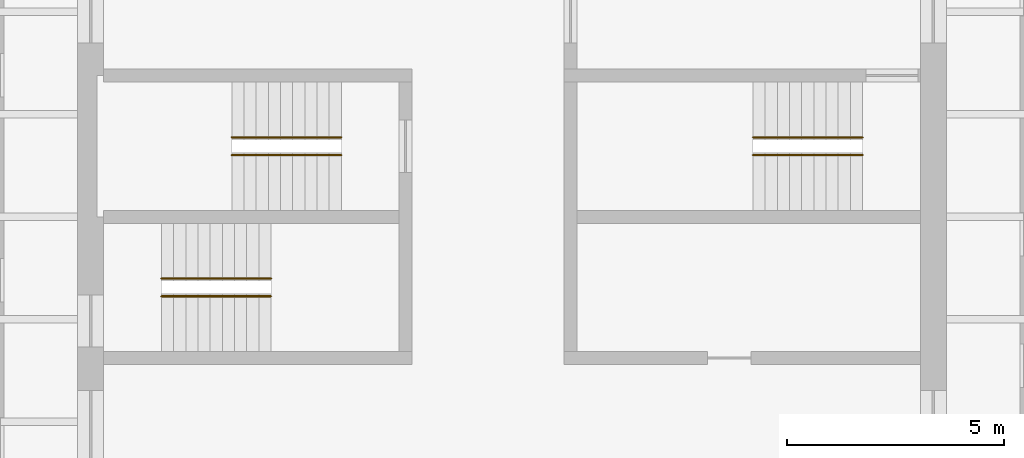
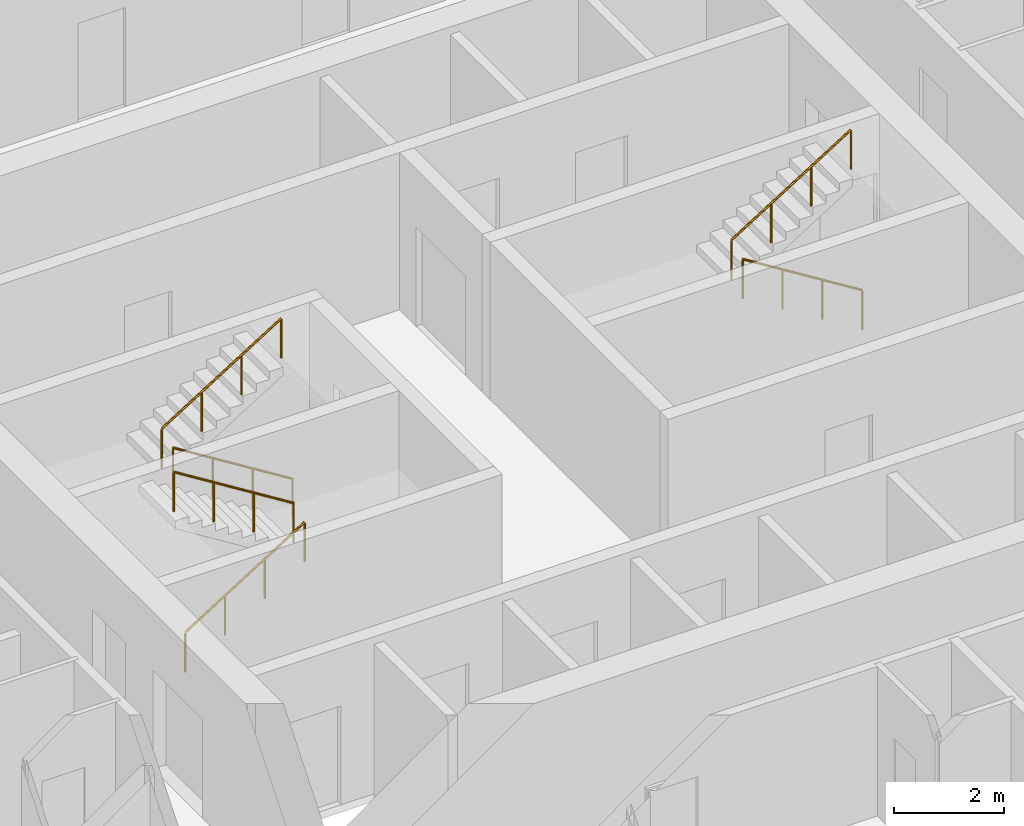
# One storey, part 9 of 9: 6 railings.
"""IFC4 building model written with IfcOpenShell, lengths in metres."""

import ifcopenshell
import ifcopenshell.guid

model = None  # the IFC model being written
_history = None  # IfcOwnerHistory: only IFC2X3 demands one
_inside = {}  # id of a spatial element -> (the spatial element, [elements in it])
_under = {}  # id of a project, library or spatial element -> (it, [spatial elements below it])
_declared = {}  # id of a project -> (the project, [libraries it declares])
_typed = {}  # id of a type object -> (the type object, [elements of that type])
_made_of = {}  # id of a material, layer set ... -> (it, [elements and type objects made of it])


def new_model(schema):
    """Start an empty IFC model of exactly this schema.

    Asked for "IFC4X3", IfcOpenShell would pick the latest addendum, in which some entities
    have other attributes; the version numbers below select the first issue.
    IFC2X3 requires an IfcOwnerHistory on every rooted entity: one is made here for all.
    """
    global model, _history
    if schema == "IFC4X3":
        model = ifcopenshell.file(schema_version=(4, 3, 0, 0))
    else:
        model = ifcopenshell.file(schema=schema)
    _inside.clear()
    _under.clear()
    _declared.clear()
    _typed.clear()
    _made_of.clear()
    _history = None
    if model.schema == "IFC2X3":
        org = make("IfcOrganization", Name="unknown")
        user = make(
            "IfcPersonAndOrganization",
            ThePerson=make("IfcPerson", FamilyName="unknown"),
            TheOrganization=org,
        )
        app = make(
            "IfcApplication",
            ApplicationDeveloper=org,
            Version="unknown",
            ApplicationFullName="unknown",
            ApplicationIdentifier="unknown",
        )
        _history = make(
            "IfcOwnerHistory",
            OwningUser=user,
            OwningApplication=app,
            ChangeAction="ADDED",
            CreationDate=0,
        )
    return model


def make(cls, **values):
    """One entity of the class cls with the attributes given. An attribute that is None is left unset."""
    return model.create_entity(
        cls, **{name: value for name, value in values.items() if value is not None}
    )


def rooted(cls, **values):
    """An entity with a GlobalId (a new one), such as an element, a storey or a relation."""
    return make(cls, GlobalId=ifcopenshell.guid.new(), OwnerHistory=_history, **values)


def si_unit(unit_type, name, prefix=None):
    """IfcSIUnit, for example si_unit("LENGTHUNIT", "METRE", prefix="MILLI")."""
    return make("IfcSIUnit", UnitType=unit_type, Prefix=prefix, Name=name)


def assignment(units):
    """IfcUnitAssignment: the units of a project."""
    return None if units is None else make("IfcUnitAssignment", Units=units)


def point(xyz):
    """IfcCartesianPoint."""
    return None if xyz is None else make("IfcCartesianPoint", Coordinates=xyz)


def direction(xyz):
    """IfcDirection."""
    return None if xyz is None else make("IfcDirection", DirectionRatios=xyz)


def frame(location, z_axis=None, x_axis=None):
    """IfcAxis2Placement3D, a coordinate frame: its origin and axes. An axis left out is left unset."""
    return make(
        "IfcAxis2Placement3D",
        Location=point(location),
        Axis=direction(z_axis),
        RefDirection=direction(x_axis),
    )


def frame_2d(location, x_axis=None):
    """IfcAxis2Placement2D, a coordinate frame in the plane: its origin and x axis."""
    return make(
        "IfcAxis2Placement2D", Location=point(location), RefDirection=direction(x_axis)
    )


def origin():
    """The frame at (0, 0, 0) with its axes left unset."""
    return frame((0.0, 0.0, 0.0))


def origin_2d():
    """The frame at (0, 0) in the plane with its x axis left unset."""
    return frame_2d((0.0, 0.0))


def place(relative_to, where):
    """IfcLocalPlacement: puts the frame where relative to a parent placement (None: the world)."""
    return make(
        "IfcLocalPlacement", PlacementRelTo=relative_to, RelativePlacement=where
    )


def context(
    kind, dimensions, precision=None, world=None, true_north=None, identifier=None
):
    """IfcGeometricRepresentationContext, for example the 3D "Model" context."""
    return make(
        "IfcGeometricRepresentationContext",
        ContextIdentifier=identifier,
        ContextType=kind,
        CoordinateSpaceDimension=dimensions,
        Precision=precision,
        WorldCoordinateSystem=world,
        TrueNorth=true_north,
    )


def subcontext(parent, identifier, kind, view, scale=None):
    """IfcGeometricRepresentationSubContext, for example "Body" below "Model"."""
    return make(
        "IfcGeometricRepresentationSubContext",
        ContextIdentifier=identifier,
        ContextType=kind,
        ParentContext=parent,
        TargetScale=scale,
        TargetView=view,
    )


def project(units=None, contexts=None):
    """IfcProject with its units and contexts."""
    return rooted(
        "IfcProject",
        Name="project",
        RepresentationContexts=contexts,
        UnitsInContext=assignment(units),
    )


def spatial(cls, under=None, at=None, **own):
    """A site, building, storey or space (cls), placed at a placement, below another one or the project."""
    s = rooted(cls, ObjectPlacement=at, **own)
    if under is not None:
        _under.setdefault(under.id(), (under, []))[1].append(s)
    return s


def profile(cls, at=None, kind="AREA", **sizes):
    """A parametric profile (cls). Its sizes go by their IFC names, for example OverallWidth=200.0."""
    return make(cls, ProfileType=kind, Position=at, **sizes)


def circle(**sizes):
    """IfcCircleProfileDef."""
    return profile("IfcCircleProfileDef", **sizes)


def extrude(swept, where, along, depth):
    """IfcExtrudedAreaSolid: the profile swept, set in the frame where, extruded along a direction by depth."""
    return make(
        "IfcExtrudedAreaSolid",
        SweptArea=swept,
        Position=where,
        ExtrudedDirection=direction(along),
        Depth=depth,
    )


def shape(context_of_items, identifier, shape_type, items):
    """IfcShapeRepresentation: the items that make up one representation, for example the "Body"."""
    return make(
        "IfcShapeRepresentation",
        ContextOfItems=context_of_items,
        RepresentationIdentifier=identifier,
        RepresentationType=shape_type,
        Items=items,
    )


def material(Name=None, Category=None):
    """IfcMaterial."""
    return make("IfcMaterial", Name=Name, Category=Category)


def made_of(thing, what):
    """Note that an element or type object is made of a material, layer set ...; save() writes the relation."""
    if what is not None:
        _made_of.setdefault(what.id(), (what, []))[1].append(thing)
    return thing


def type_object(cls, material=None, **own):
    """A type object (cls), such as IfcWallType, which elements share."""
    return made_of(rooted(cls, **own), material)


def element(
    cls,
    number,
    at=None,
    inside=None,
    cuts=None,
    type_object=None,
    material=None,
    context=None,
    identifier="Body",
    shape_type=None,
    held_by="IfcProductDefinitionShape",
    body=None,
    shapes=None,
    **own,
):
    """One element of the class cls, such as IfcWall. Its Tag is "e" and its number.

    at: its placement. inside: the storey or other place that contains it. cuts: it is an
    opening in that element (IfcRelVoidsElement). A single representation is given by context,
    identifier, shape_type and body (its items); several are given by shapes. held_by: the class
    of the entity that holds the representations. save() writes the other relations.
    """
    e = rooted(cls, Tag="e%d" % number, ObjectPlacement=at, **own)
    if body is not None:
        shapes = [shape(context, identifier, shape_type, body)]
    if shapes is not None:
        e.Representation = make(held_by, Representations=shapes)
    if inside is not None:
        _inside.setdefault(inside.id(), (inside, []))[1].append(e)
    if cuts is not None:
        rooted(
            "IfcRelVoidsElement", RelatingBuildingElement=cuts, RelatedOpeningElement=e
        )
    if type_object is not None:
        _typed.setdefault(type_object.id(), (type_object, []))[1].append(e)
    return made_of(e, material)


def aggregate(whole, parts):
    """IfcRelAggregates: a whole, such as a stair, and the parts it consists of."""
    return rooted("IfcRelAggregates", RelatingObject=whole, RelatedObjects=parts)


def save(model, path):
    """Write the relations noted so far, then the file.

    IfcRelAggregates (storeys below a building ...), IfcRelContainedInSpatialStructure (elements
    in a storey), IfcRelDefinesByType, IfcRelAssociatesMaterial and IfcRelDeclares: one each for
    every whole, place, type object, material and project.
    """
    for whole, parts in _under.values():
        aggregate(whole, parts)
    for where, things in _inside.values():
        rooted(
            "IfcRelContainedInSpatialStructure",
            RelatedElements=things,
            RelatingStructure=where,
        )
    for kind, things in _typed.values():
        rooted("IfcRelDefinesByType", RelatedObjects=things, RelatingType=kind)
    for what, things in _made_of.values():
        rooted("IfcRelAssociatesMaterial", RelatedObjects=things, RelatingMaterial=what)
    for by, libraries in _declared.values():
        rooted("IfcRelDeclares", RelatingContext=by, RelatedDefinitions=libraries)
    model.write(path)


model = new_model("IFC4")

# Units and contexts
model_context = context("Model", 3, precision=1e-05, world=origin(), true_north=direction((0.0, 1.0)))
body_context = subcontext(model_context, "Body", "Model", "MODEL_VIEW")
ifc_project = project(units=[si_unit("LENGTHUNIT", "METRE"), si_unit("AREAUNIT", "SQUARE_METRE"), si_unit("VOLUMEUNIT", "CUBIC_METRE"), si_unit("PLANEANGLEUNIT", "RADIAN"), si_unit("MASSUNIT", "GRAM", prefix="KILO")], contexts=[model_context])

# Site, building, storey
site_placement = place(None, origin())
site = spatial("IfcSite", under=ifc_project, at=site_placement, CompositionType="ELEMENT")
building_placement = place(site_placement, origin())
building = spatial("IfcBuilding", under=site, at=building_placement, Name="Turquesa Mirador Hotel Tower", CompositionType="ELEMENT")
storey_placement = place(building_placement, frame((0.0, 0.0, 172.300048828125)))
storey = spatial("IfcBuildingStorey", under=building, at=storey_placement, Name="L46", CompositionType="ELEMENT", Elevation=172.300048828125)

# Railings
ifc_material = material(Name="Painted steel handrail", Category="steel")
railing_type = type_object("IfcRailingType", Name="HANDRAIL 900 STEEL", PredefinedType="HANDRAIL", material=ifc_material)
railing_1_placement = place(storey_placement, frame((51.070068359375, 46.419921875, 0.175048828125)))
element("IfcRailing", 1, at=railing_1_placement, inside=storey, type_object=railing_type, Name="Handrail ST1", PredefinedType="HANDRAIL", context=body_context, shape_type="SweptSolid", body=[
    extrude(circle(Radius=0.02392578125, at=origin_2d()), frame((0.0, 0.0, 0.8759765625), z_axis=(-0.848007534815, 0.0, 0.529984170421), x_axis=(0.0, -1.0, 0.0)), (0.0, 0.0, 1.0), 2.9716796875),
    extrude(circle(Radius=0.02099609375, at=origin_2d()), origin(), (0.0, 0.0, 1.0), 0.851806640625),
    extrude(circle(Radius=0.02099609375, at=origin_2d()), frame((-0.840087890625, 0.0, 0.52490234375)), (0.0, 0.0, 1.0), 0.851806640625),
    extrude(circle(Radius=0.02099609375, at=origin_2d()), frame((-1.679931640625, 0.0, 1.050048828125)), (0.0, 0.0, 1.0), 0.851806640625),
    extrude(circle(Radius=0.02099609375, at=origin_2d()), frame((-2.52001953125, 0.0, 1.574951171875)), (0.0, 0.0, 1.0), 0.851806640625),
])
for number, where, name in (
    (2, (48.550048828125, 46.830078125, 1.925048828125), "Handrail ST1"),
    (3, (46.929931640625, 43.169921875, 0.175048828125), "Handrail ST2"),
):
    element("IfcRailing", number, at=place(storey_placement, frame(where)), inside=storey, type_object=railing_type, Name=name, PredefinedType="HANDRAIL", context=body_context, shape_type="SweptSolid", body=[
        extrude(circle(Radius=0.02392578125, at=origin_2d()), frame((0.0, 0.0, 0.8759765625), z_axis=(0.848007534815, 0.0, 0.529984170421), x_axis=(0.0, 1.0, 0.0)), (0.0, 0.0, 1.0), 2.9716796875),
        extrude(circle(Radius=0.02099609375, at=origin_2d()), origin(), (0.0, 0.0, 1.0), 0.851806640625),
        extrude(circle(Radius=0.02099609375, at=origin_2d()), frame((0.840087890625, 0.0, 0.52490234375)), (0.0, 0.0, 1.0), 0.851806640625),
        extrude(circle(Radius=0.02099609375, at=origin_2d()), frame((1.679931640625, 0.0, 1.050048828125)), (0.0, 0.0, 1.0), 0.851806640625),
        extrude(circle(Radius=0.02099609375, at=origin_2d()), frame((2.52001953125, 0.0, 1.574951171875)), (0.0, 0.0, 1.0), 0.851806640625),
    ])
for number, where, name in (
    (4, (49.449951171875, 43.580078125, 1.925048828125), "Handrail ST2"),
    (5, (63.070068359375, 46.419921875, 0.175048828125), "Handrail ST3"),
):
    element("IfcRailing", number, at=place(storey_placement, frame(where)), inside=storey, type_object=railing_type, Name=name, PredefinedType="HANDRAIL", context=body_context, shape_type="SweptSolid", body=[
        extrude(circle(Radius=0.02392578125, at=origin_2d()), frame((0.0, 0.0, 0.8759765625), z_axis=(-0.848007534815, 0.0, 0.529984170421), x_axis=(0.0, -1.0, 0.0)), (0.0, 0.0, 1.0), 2.9716796875),
        extrude(circle(Radius=0.02099609375, at=origin_2d()), origin(), (0.0, 0.0, 1.0), 0.851806640625),
        extrude(circle(Radius=0.02099609375, at=origin_2d()), frame((-0.840087890625, 0.0, 0.52490234375)), (0.0, 0.0, 1.0), 0.851806640625),
        extrude(circle(Radius=0.02099609375, at=origin_2d()), frame((-1.679931640625, 0.0, 1.050048828125)), (0.0, 0.0, 1.0), 0.851806640625),
        extrude(circle(Radius=0.02099609375, at=origin_2d()), frame((-2.52001953125, 0.0, 1.574951171875)), (0.0, 0.0, 1.0), 0.851806640625),
    ])
railing_2_placement = place(storey_placement, frame((60.550048828125, 46.830078125, 1.925048828125)))
element("IfcRailing", 6, at=railing_2_placement, inside=storey, type_object=railing_type, Name="Handrail ST3", PredefinedType="HANDRAIL", context=body_context, shape_type="SweptSolid", body=[
    extrude(circle(Radius=0.02392578125, at=origin_2d()), frame((0.0, 0.0, 0.8759765625), z_axis=(0.848007534815, 0.0, 0.529984170421), x_axis=(0.0, 1.0, 0.0)), (0.0, 0.0, 1.0), 2.9716796875),
    extrude(circle(Radius=0.02099609375, at=origin_2d()), origin(), (0.0, 0.0, 1.0), 0.851806640625),
    extrude(circle(Radius=0.02099609375, at=origin_2d()), frame((0.840087890625, 0.0, 0.52490234375)), (0.0, 0.0, 1.0), 0.851806640625),
    extrude(circle(Radius=0.02099609375, at=origin_2d()), frame((1.679931640625, 0.0, 1.050048828125)), (0.0, 0.0, 1.0), 0.851806640625),
    extrude(circle(Radius=0.02099609375, at=origin_2d()), frame((2.52001953125, 0.0, 1.574951171875)), (0.0, 0.0, 1.0), 0.851806640625),
])

save(model, "model.ifc")
